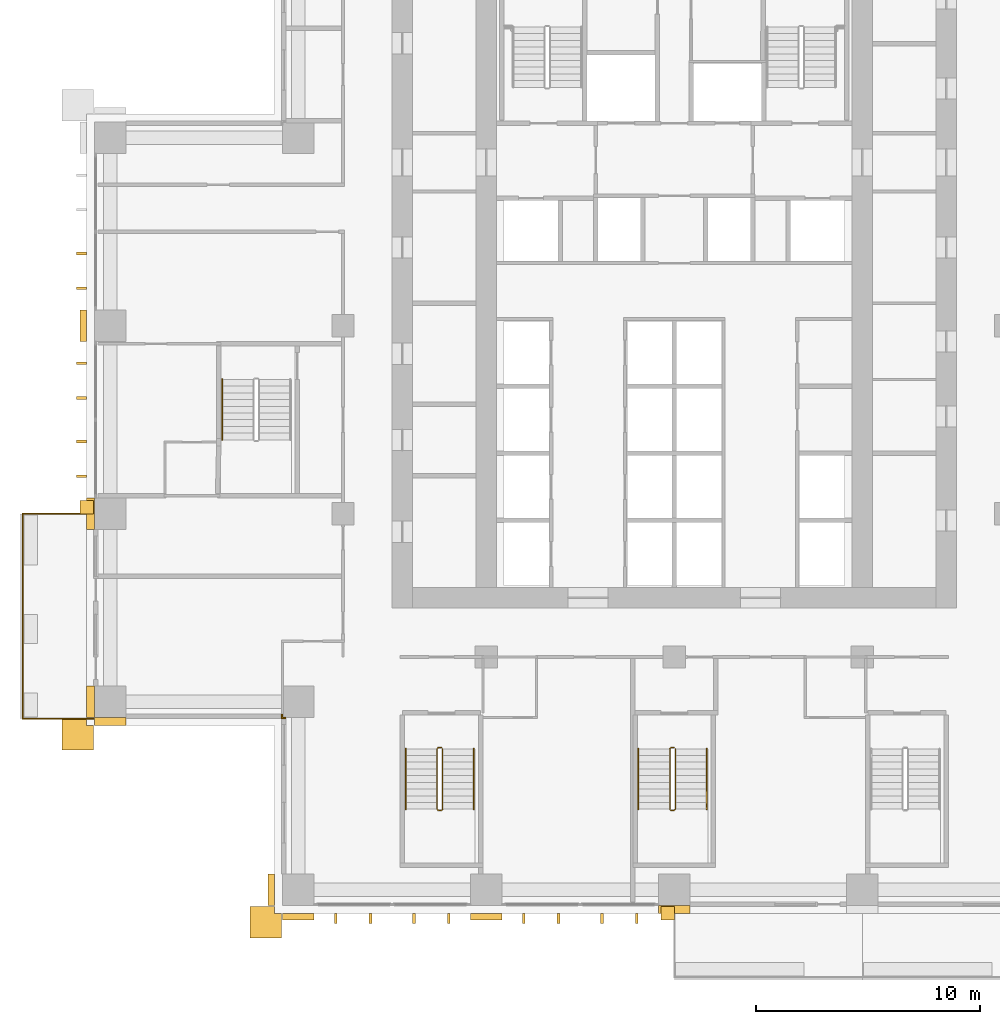
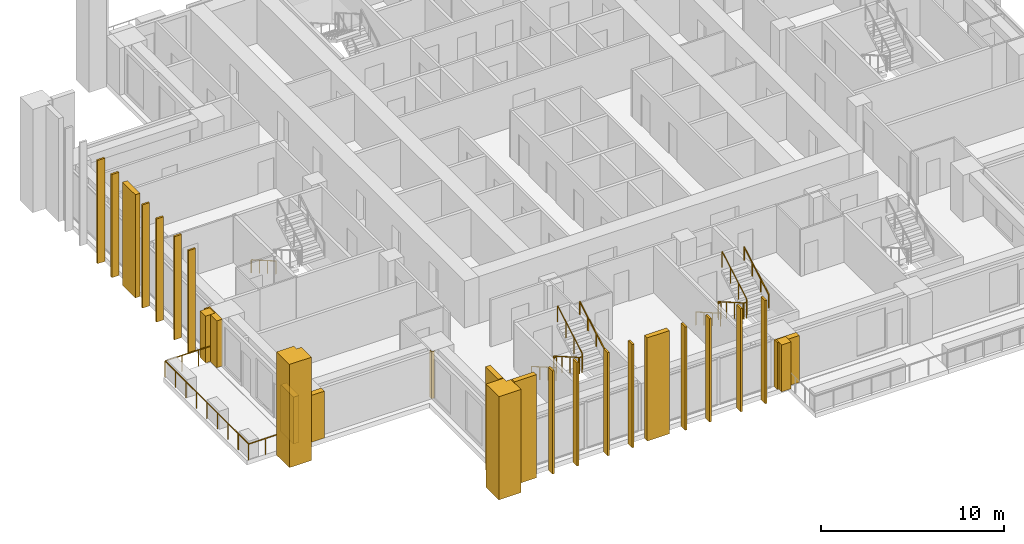
# One storey, part 15 of 19: 27 coverings, 8 railings.
"""IFC4 building model written with IfcOpenShell, lengths in metres."""

from ifc_helpers import new_model, si_unit, direction, frame, origin, origin_2d, place, context, subcontext, project, spatial, polyline, rectangle, outline, extrude, material, layer, layer_set, type_object, element, save


model = new_model("IFC4")

# Units and contexts
model_context = context("Model", 3, precision=1e-05, world=origin(), true_north=direction((0.0, 1.0)))
body_context = subcontext(model_context, "Body", "Model", "MODEL_VIEW")
ifc_project = project(units=[si_unit("LENGTHUNIT", "METRE"), si_unit("AREAUNIT", "SQUARE_METRE"), si_unit("VOLUMEUNIT", "CUBIC_METRE"), si_unit("PLANEANGLEUNIT", "RADIAN"), si_unit("MASSUNIT", "GRAM", prefix="KILO")], contexts=[model_context])

# Site, building, storey
site_placement = place(None, origin())
site = spatial("IfcSite", under=ifc_project, at=site_placement, CompositionType="ELEMENT")
building_placement = place(site_placement, origin())
building = spatial("IfcBuilding", under=site, at=building_placement, Name="Vermilion Ogive Tower", CompositionType="ELEMENT")
storey_placement = place(building_placement, frame((0.0, 0.0, 62.10009765625)))
storey = spatial("IfcBuildingStorey", under=building, at=storey_placement, Name="L14", CompositionType="ELEMENT", Elevation=62.10009765625)

# Railing
ifc_material_1 = material(Name="Stainless steel and glass", Category="steel")
railing_type_1 = type_object("IfcRailingType", Name="Balcony guard", PredefinedType="GUARDRAIL", material=ifc_material_1)
railing_1_placement = place(storey_placement, frame((-25.949951171875, -4.199951171875, -0.0400390625)))
element("IfcRailing", 1, at=railing_1_placement, inside=storey, type_object=railing_type_1, Name="Guard W03", PredefinedType="GUARDRAIL", context=body_context, shape_type="SweptSolid", body=[
    extrude(rectangle(XDim=0.048095703125, YDim=0.048095703125, at=origin_2d()), frame((0.0, 0.0, 1.076171875), z_axis=(-1.0, 0.0, 0.0), x_axis=(0.0, -1.0, 0.0)), (0.0, 0.0, 1.0), 3.16015625),
    extrude(rectangle(XDim=0.048095703125, YDim=0.048095703125, at=origin_2d()), frame((-3.16015625, 0.0, 1.076171875), z_axis=(0.0, -1.0, 0.0), x_axis=(1.0, 0.0, 0.0)), (0.0, 0.0, 1.0), 9.150146484375),
    extrude(rectangle(XDim=0.048095703125, YDim=0.048095703125, at=origin_2d()), frame((-3.16015625, -9.150146484375, 1.076171875), z_axis=(1.0, 0.0, 0.0), x_axis=(0.0, 1.0, 0.0)), (0.0, 0.0, 1.0), 3.16015625),
    extrude(rectangle(XDim=0.0419921875, YDim=0.0419921875, at=origin_2d()), origin(), (0.0, 0.0, 1.0), 1.052001953125),
    extrude(rectangle(XDim=0.0419921875, YDim=0.0419921875, at=origin_2d()), frame((-1.053466796875, 0.0, 0.0)), (0.0, 0.0, 1.0), 1.052001953125),
    extrude(rectangle(XDim=0.0419921875, YDim=0.0419921875, at=origin_2d()), frame((-2.106689453125, 0.0, 0.0)), (0.0, 0.0, 1.0), 1.052001953125),
    extrude(rectangle(XDim=0.0419921875, YDim=0.0419921875, at=origin_2d()), frame((-3.16015625, 0.0, 0.0)), (0.0, 0.0, 1.0), 1.052001953125),
    extrude(rectangle(XDim=0.0419921875, YDim=0.0419921875, at=origin_2d()), frame((-3.16015625, -1.143798828125, 0.0)), (0.0, 0.0, 1.0), 1.052001953125),
    extrude(rectangle(XDim=0.0419921875, YDim=0.0419921875, at=origin_2d()), frame((-3.16015625, -2.28759765625, 0.0)), (0.0, 0.0, 1.0), 1.052001953125),
    extrude(rectangle(XDim=0.0419921875, YDim=0.0419921875, at=origin_2d()), frame((-3.16015625, -3.431396484375, 0.0)), (0.0, 0.0, 1.0), 1.052001953125),
    extrude(rectangle(XDim=0.0419921875, YDim=0.0419921875, at=origin_2d()), frame((-3.16015625, -4.5751953125, 0.0)), (0.0, 0.0, 1.0), 1.052001953125),
    extrude(rectangle(XDim=0.0419921875, YDim=0.0419921875, at=origin_2d()), frame((-3.16015625, -5.71875, 0.0)), (0.0, 0.0, 1.0), 1.052001953125),
    extrude(rectangle(XDim=0.0419921875, YDim=0.0419921875, at=origin_2d()), frame((-3.16015625, -6.862548828125, 0.0)), (0.0, 0.0, 1.0), 1.052001953125),
    extrude(rectangle(XDim=0.0419921875, YDim=0.0419921875, at=origin_2d()), frame((-3.16015625, -8.00634765625, 0.0)), (0.0, 0.0, 1.0), 1.052001953125),
    extrude(rectangle(XDim=0.0419921875, YDim=0.0419921875, at=origin_2d()), frame((-3.16015625, -9.150146484375, 0.0)), (0.0, 0.0, 1.0), 1.052001953125),
    extrude(rectangle(XDim=0.0419921875, YDim=0.0419921875, at=origin_2d()), frame((-2.106689453125, -9.150146484375, 0.0)), (0.0, 0.0, 1.0), 1.052001953125),
    extrude(rectangle(XDim=0.0419921875, YDim=0.0419921875, at=origin_2d()), frame((-1.053466796875, -9.150146484375, 0.0)), (0.0, 0.0, 1.0), 1.052001953125),
    extrude(rectangle(XDim=0.0419921875, YDim=0.0419921875, at=origin_2d()), frame((0.0, -9.150146484375, 0.0)), (0.0, 0.0, 1.0), 1.052001953125),
])

# Coverings
ifc_material_2 = material(Name="Glazed ceramic screen")
ifc_layer = layer(ifc_material_2, 0.14990234375)
ifc_layer_set = layer_set([ifc_layer], Name="Ceramic solar screen fin")
covering_type_1 = type_object("IfcCoveringType", Name="Ceramic solar screen fin", PredefinedType="CLADDING", material=ifc_layer_set)
covering_1_placement = place(storey_placement, frame((0.0, 0.0, -0.320068359375)))
element("IfcCovering", 2, at=covering_1_placement, inside=storey, type_object=covering_type_1, Name="Solar screen blade S961", PredefinedType="CLADDING", context=body_context, shape_type="SweptSolid", body=[
    extrude(outline(polyline([(-15.18505859375, -22.5), (-15.06494140625, -22.5), (-15.06494140625, -22.050048828125), (-15.18505859375, -22.050048828125), (-15.18505859375, -22.5)])), origin(), (0.0, 0.0, 1.0), 6.89990234375),
])
covering_2_placement = place(storey_placement, frame((0.0, 0.0, -0.320068359375)))
element("IfcCovering", 3, at=covering_2_placement, inside=storey, type_object=covering_type_1, Name="Solar screen blade S962", PredefinedType="CLADDING", context=body_context, shape_type="SweptSolid", body=[
    extrude(outline(polyline([(-13.635009765625, -22.5), (-13.514892578125, -22.5), (-13.514892578125, -22.050048828125), (-13.635009765625, -22.050048828125), (-13.635009765625, -22.5)])), origin(), (0.0, 0.0, 1.0), 6.89990234375),
])
covering_3_placement = place(storey_placement, frame((0.0, 0.0, -0.320068359375)))
element("IfcCovering", 4, at=covering_3_placement, inside=storey, type_object=covering_type_1, Name="Solar screen blade S971", PredefinedType="CLADDING", context=body_context, shape_type="SweptSolid", body=[
    extrude(outline(polyline([(-11.68505859375, -22.5), (-11.56494140625, -22.5), (-11.56494140625, -22.050048828125), (-11.68505859375, -22.050048828125), (-11.68505859375, -22.5)])), origin(), (0.0, 0.0, 1.0), 6.89990234375),
])
covering_4_placement = place(storey_placement, frame((0.0, 0.0, -0.320068359375)))
element("IfcCovering", 5, at=covering_4_placement, inside=storey, type_object=covering_type_1, Name="Solar screen blade S972", PredefinedType="CLADDING", context=body_context, shape_type="SweptSolid", body=[
    extrude(outline(polyline([(-10.135009765625, -22.5), (-10.014892578125, -22.5), (-10.014892578125, -22.050048828125), (-10.135009765625, -22.050048828125), (-10.135009765625, -22.5)])), origin(), (0.0, 0.0, 1.0), 6.89990234375),
])
covering_5_placement = place(storey_placement, frame((0.0, 0.0, -0.320068359375)))
element("IfcCovering", 6, at=covering_5_placement, inside=storey, type_object=covering_type_1, Name="Solar screen blade S981", PredefinedType="CLADDING", context=body_context, shape_type="SweptSolid", body=[
    extrude(outline(polyline([(-6.784912109375, -22.5), (-6.6650390625, -22.5), (-6.6650390625, -22.050048828125), (-6.784912109375, -22.050048828125), (-6.784912109375, -22.5)])), origin(), (0.0, 0.0, 1.0), 6.89990234375),
])
covering_6_placement = place(storey_placement, frame((0.0, 0.0, -0.320068359375)))
element("IfcCovering", 7, at=covering_6_placement, inside=storey, type_object=covering_type_1, Name="Solar screen blade S982", PredefinedType="CLADDING", context=body_context, shape_type="SweptSolid", body=[
    extrude(outline(polyline([(-5.235107421875, -22.5), (-5.114990234375, -22.5), (-5.114990234375, -22.050048828125), (-5.235107421875, -22.050048828125), (-5.235107421875, -22.5)])), origin(), (0.0, 0.0, 1.0), 6.89990234375),
])
covering_7_placement = place(storey_placement, frame((0.0, 0.0, -0.320068359375)))
element("IfcCovering", 8, at=covering_7_placement, inside=storey, type_object=covering_type_1, Name="Solar screen blade S991", PredefinedType="CLADDING", context=body_context, shape_type="SweptSolid", body=[
    extrude(outline(polyline([(-3.284912109375, -22.5), (-3.1650390625, -22.5), (-3.1650390625, -22.050048828125), (-3.284912109375, -22.050048828125), (-3.284912109375, -22.5)])), origin(), (0.0, 0.0, 1.0), 6.89990234375),
])
covering_8_placement = place(storey_placement, frame((0.0, 0.0, -0.320068359375)))
element("IfcCovering", 9, at=covering_8_placement, inside=storey, type_object=covering_type_1, Name="Solar screen blade S992", PredefinedType="CLADDING", context=body_context, shape_type="SweptSolid", body=[
    extrude(outline(polyline([(-1.735107421875, -22.5), (-1.614990234375, -22.5), (-1.614990234375, -22.050048828125), (-1.735107421875, -22.050048828125), (-1.735107421875, -22.5)])), origin(), (0.0, 0.0, 1.0), 6.89990234375),
])
covering_9_placement = place(storey_placement, frame((0.0, 0.0, -0.320068359375)))
element("IfcCovering", 10, at=covering_9_placement, inside=storey, type_object=covering_type_1, Name="Solar screen blade W011", PredefinedType="CLADDING", context=body_context, shape_type="SweptSolid", body=[
    extrude(outline(polyline([(-26.699951171875, 7.485107421875), (-26.699951171875, 7.364990234375), (-26.25, 7.364990234375), (-26.25, 7.485107421875), (-26.699951171875, 7.485107421875)])), origin(), (0.0, 0.0, 1.0), 6.89990234375),
])
covering_10_placement = place(storey_placement, frame((0.0, 0.0, -0.320068359375)))
element("IfcCovering", 11, at=covering_10_placement, inside=storey, type_object=covering_type_1, Name="Solar screen blade W012", PredefinedType="CLADDING", context=body_context, shape_type="SweptSolid", body=[
    extrude(outline(polyline([(-26.699951171875, 5.93505859375), (-26.699951171875, 5.81494140625), (-26.25, 5.81494140625), (-26.25, 5.93505859375), (-26.699951171875, 5.93505859375)])), origin(), (0.0, 0.0, 1.0), 6.89990234375),
])
covering_11_placement = place(storey_placement, frame((0.0, 0.0, -0.320068359375)))
element("IfcCovering", 12, at=covering_11_placement, inside=storey, type_object=covering_type_1, Name="Solar screen blade W991", PredefinedType="CLADDING", context=body_context, shape_type="SweptSolid", body=[
    extrude(outline(polyline([(-26.699951171875, -0.9150390625), (-26.699951171875, -1.034912109375), (-26.25, -1.034912109375), (-26.25, -0.9150390625), (-26.699951171875, -0.9150390625)])), origin(), (0.0, 0.0, 1.0), 6.89990234375),
])
covering_12_placement = place(storey_placement, frame((0.0, 0.0, -0.320068359375)))
element("IfcCovering", 13, at=covering_12_placement, inside=storey, type_object=covering_type_1, Name="Solar screen blade W992", PredefinedType="CLADDING", context=body_context, shape_type="SweptSolid", body=[
    extrude(outline(polyline([(-26.699951171875, -2.465087890625), (-26.699951171875, -2.5849609375), (-26.25, -2.5849609375), (-26.25, -2.465087890625), (-26.699951171875, -2.465087890625)])), origin(), (0.0, 0.0, 1.0), 6.89990234375),
])
covering_13_placement = place(storey_placement, frame((0.0, 0.0, -0.320068359375)))
element("IfcCovering", 14, at=covering_13_placement, inside=storey, type_object=covering_type_1, Name="Solar screen blade W001", PredefinedType="CLADDING", context=body_context, shape_type="SweptSolid", body=[
    extrude(outline(polyline([(-26.699951171875, 2.5849609375), (-26.699951171875, 2.465087890625), (-26.25, 2.465087890625), (-26.25, 2.5849609375), (-26.699951171875, 2.5849609375)])), origin(), (0.0, 0.0, 1.0), 6.89990234375),
])
covering_14_placement = place(storey_placement, frame((0.0, 0.0, -0.320068359375)))
element("IfcCovering", 15, at=covering_14_placement, inside=storey, type_object=covering_type_1, Name="Solar screen blade W002", PredefinedType="CLADDING", context=body_context, shape_type="SweptSolid", body=[
    extrude(outline(polyline([(-26.699951171875, 1.034912109375), (-26.699951171875, 0.9150390625), (-26.25, 0.9150390625), (-26.25, 1.034912109375), (-26.699951171875, 1.034912109375)])), origin(), (0.0, 0.0, 1.0), 6.89990234375),
])

# Railings
ifc_material_3 = material(Name="Steel S355 painted", Category="steel")
railing_type_2 = type_object("IfcRailingType", Name="Stair guard 1100", PredefinedType="GUARDRAIL", material=ifc_material_3)
railing_2_placement = place(storey_placement, frame((-10.39990234375, -14.64990234375, 0.0)))
element("IfcRailing", 16, at=railing_2_placement, inside=storey, type_object=railing_type_2, Name="L14 ST3 stair guard 4", PredefinedType="GUARDRAIL", context=body_context, shape_type="SweptSolid", body=[
    extrude(rectangle(XDim=0.048095703125, YDim=0.048095703125, at=origin_2d()), frame((0.0, 0.0, 1.076171875), z_axis=(-1.0, 0.0, 0.0), x_axis=(0.0, -1.0, 0.0)), (0.0, 0.0, 1.0), 0.150146484375),
    extrude(rectangle(XDim=0.048095703125, YDim=0.048095703125, at=origin_2d()), frame((-0.150146484375, 0.0, 1.076171875), z_axis=(-0.268603158521, -0.268603158521, 0.925043072762), x_axis=(0.707106781187, -0.707106781187, 0.0)), (0.0, 0.0, 1.0), 0.186279296875),
    extrude(rectangle(XDim=0.048095703125, YDim=0.048095703125, at=origin_2d()), frame((-0.2001953125, -0.050048828125, 1.24853515625), z_axis=(0.0, -0.866903762492, 0.498475542607), x_axis=(1.0, 0.0, 0.0)), (0.0, 0.0, 1.0), 3.114501953125),
    extrude(rectangle(XDim=0.048095703125, YDim=0.048095703125, at=origin_2d()), frame((-0.2001953125, -2.75, 2.80078125), z_axis=(0.707106781187, -0.707106781187, 0.0), x_axis=(0.707106781187, 0.707106781187, 0.0)), (0.0, 0.0, 1.0), 0.07080078125),
    extrude(rectangle(XDim=0.048095703125, YDim=0.048095703125, at=origin_2d()), frame((-0.150146484375, -2.800048828125, 2.80078125), z_axis=(1.0, 0.0, 0.0), x_axis=(0.0, 1.0, 0.0)), (0.0, 0.0, 1.0), 0.150146484375),
    extrude(rectangle(XDim=0.048095703125, YDim=0.048095703125, at=origin_2d()), frame((0.0, -2.800048828125, 2.80078125), z_axis=(0.267062837333, 0.268371968888, 0.925556009775), x_axis=(-0.708833529934, 0.705375805398, 0.0)), (0.0, 0.0, 1.0), 0.1865234375),
    extrude(rectangle(XDim=0.048095703125, YDim=0.048095703125, at=origin_2d()), frame((0.0498046875, -2.75, 2.9736328125), z_axis=(0.0, 0.866903762492, 0.498475542607), x_axis=(-1.0, 0.0, 0.0)), (0.0, 0.0, 1.0), 3.114501953125),
    extrude(rectangle(XDim=0.0419921875, YDim=0.0419921875, at=origin_2d()), origin(), (0.0, 0.0, 1.0), 1.052001953125),
    extrude(rectangle(XDim=0.0419921875, YDim=0.0419921875, at=origin_2d()), frame((-0.150146484375, 0.0, 0.0)), (0.0, 0.0, 1.0), 1.052001953125),
    extrude(rectangle(XDim=0.0419921875, YDim=0.0419921875, at=origin_2d()), frame((-0.2001953125, -0.050048828125, 0.17236328125)), (0.0, 0.0, 1.0), 1.052001953125),
    extrude(rectangle(XDim=0.0419921875, YDim=0.0419921875, at=origin_2d()), frame((-0.2001953125, -0.949951171875, 0.68994140625)), (0.0, 0.0, 1.0), 1.052001953125),
    extrude(rectangle(XDim=0.0419921875, YDim=0.0419921875, at=origin_2d()), frame((-0.2001953125, -1.85009765625, 1.207275390625)), (0.0, 0.0, 1.0), 1.052001953125),
    extrude(rectangle(XDim=0.0419921875, YDim=0.0419921875, at=origin_2d()), frame((-0.2001953125, -2.75, 1.724853515625)), (0.0, 0.0, 1.0), 1.052001953125),
    extrude(rectangle(XDim=0.0419921875, YDim=0.0419921875, at=origin_2d()), frame((-0.150146484375, -2.800048828125, 1.724853515625)), (0.0, 0.0, 1.0), 1.052001953125),
    extrude(rectangle(XDim=0.0419921875, YDim=0.0419921875, at=origin_2d()), frame((0.0, -2.800048828125, 1.724853515625)), (0.0, 0.0, 1.0), 1.052001953125),
    extrude(rectangle(XDim=0.0419921875, YDim=0.0419921875, at=origin_2d()), frame((0.0498046875, -2.75, 1.8974609375)), (0.0, 0.0, 1.0), 1.052001953125),
    extrude(rectangle(XDim=0.0419921875, YDim=0.0419921875, at=origin_2d()), frame((0.0498046875, -1.85009765625, 2.4150390625)), (0.0, 0.0, 1.0), 1.052001953125),
    extrude(rectangle(XDim=0.0419921875, YDim=0.0419921875, at=origin_2d()), frame((0.0498046875, -0.949951171875, 2.932373046875)), (0.0, 0.0, 1.0), 1.052001953125),
    extrude(rectangle(XDim=0.0419921875, YDim=0.0419921875, at=origin_2d()), frame((0.0498046875, -0.050048828125, 3.449951171875)), (0.0, 0.0, 1.0), 1.052001953125),
])
railing_3_placement = place(storey_placement, frame((0.0, -14.64990234375, 0.0)))
element("IfcRailing", 17, at=railing_3_placement, inside=storey, type_object=railing_type_2, Name="L14 ST4 stair guard 4", PredefinedType="GUARDRAIL", context=body_context, shape_type="SweptSolid", body=[
    extrude(rectangle(XDim=0.048095703125, YDim=0.048095703125, at=origin_2d()), frame((0.0, 0.0, 1.076171875), z_axis=(-1.0, 0.0, 0.0), x_axis=(0.0, -1.0, 0.0)), (0.0, 0.0, 1.0), 0.14990234375),
    extrude(rectangle(XDim=0.048095703125, YDim=0.048095703125, at=origin_2d()), frame((-0.14990234375, 0.0, 1.076171875), z_axis=(-0.268603158521, -0.268603158521, 0.925043072762), x_axis=(0.707106781187, -0.707106781187, 0.0)), (0.0, 0.0, 1.0), 0.186279296875),
    extrude(rectangle(XDim=0.048095703125, YDim=0.048095703125, at=origin_2d()), frame((-0.199951171875, -0.050048828125, 1.24853515625), z_axis=(0.0, -0.866903762492, 0.498475542607), x_axis=(1.0, 0.0, 0.0)), (0.0, 0.0, 1.0), 3.114501953125),
    extrude(rectangle(XDim=0.048095703125, YDim=0.048095703125, at=origin_2d()), frame((-0.199951171875, -2.75, 2.80078125), z_axis=(0.707106781187, -0.707106781187, 0.0), x_axis=(0.707106781187, 0.707106781187, 0.0)), (0.0, 0.0, 1.0), 0.07080078125),
    extrude(rectangle(XDim=0.048095703125, YDim=0.048095703125, at=origin_2d()), frame((-0.14990234375, -2.800048828125, 2.80078125), z_axis=(1.0, 0.0, 0.0), x_axis=(0.0, 1.0, 0.0)), (0.0, 0.0, 1.0), 0.14990234375),
    extrude(rectangle(XDim=0.048095703125, YDim=0.048095703125, at=origin_2d()), frame((0.0, -2.800048828125, 2.80078125), z_axis=(0.268277960024, 0.268277960024, 0.925231793839), x_axis=(-0.707106781187, 0.707106781187, 0.0)), (0.0, 0.0, 1.0), 0.1865234375),
    extrude(rectangle(XDim=0.048095703125, YDim=0.048095703125, at=origin_2d()), frame((0.050048828125, -2.75, 2.9736328125), z_axis=(0.0, 0.866903762492, 0.498475542607), x_axis=(-1.0, 0.0, 0.0)), (0.0, 0.0, 1.0), 3.114501953125),
    extrude(rectangle(XDim=0.0419921875, YDim=0.0419921875, at=origin_2d()), origin(), (0.0, 0.0, 1.0), 1.052001953125),
    extrude(rectangle(XDim=0.0419921875, YDim=0.0419921875, at=origin_2d()), frame((-0.14990234375, 0.0, 0.0)), (0.0, 0.0, 1.0), 1.052001953125),
    extrude(rectangle(XDim=0.0419921875, YDim=0.0419921875, at=origin_2d()), frame((-0.199951171875, -0.050048828125, 0.17236328125)), (0.0, 0.0, 1.0), 1.052001953125),
    extrude(rectangle(XDim=0.0419921875, YDim=0.0419921875, at=origin_2d()), frame((-0.199951171875, -0.949951171875, 0.68994140625)), (0.0, 0.0, 1.0), 1.052001953125),
    extrude(rectangle(XDim=0.0419921875, YDim=0.0419921875, at=origin_2d()), frame((-0.199951171875, -1.85009765625, 1.207275390625)), (0.0, 0.0, 1.0), 1.052001953125),
    extrude(rectangle(XDim=0.0419921875, YDim=0.0419921875, at=origin_2d()), frame((-0.199951171875, -2.75, 1.724853515625)), (0.0, 0.0, 1.0), 1.052001953125),
    extrude(rectangle(XDim=0.0419921875, YDim=0.0419921875, at=origin_2d()), frame((-0.14990234375, -2.800048828125, 1.724853515625)), (0.0, 0.0, 1.0), 1.052001953125),
    extrude(rectangle(XDim=0.0419921875, YDim=0.0419921875, at=origin_2d()), frame((0.0, -2.800048828125, 1.724853515625)), (0.0, 0.0, 1.0), 1.052001953125),
    extrude(rectangle(XDim=0.0419921875, YDim=0.0419921875, at=origin_2d()), frame((0.050048828125, -2.75, 1.8974609375)), (0.0, 0.0, 1.0), 1.052001953125),
    extrude(rectangle(XDim=0.0419921875, YDim=0.0419921875, at=origin_2d()), frame((0.050048828125, -1.85009765625, 2.4150390625)), (0.0, 0.0, 1.0), 1.052001953125),
    extrude(rectangle(XDim=0.0419921875, YDim=0.0419921875, at=origin_2d()), frame((0.050048828125, -0.949951171875, 2.932373046875)), (0.0, 0.0, 1.0), 1.052001953125),
    extrude(rectangle(XDim=0.0419921875, YDim=0.0419921875, at=origin_2d()), frame((0.050048828125, -0.050048828125, 3.449951171875)), (0.0, 0.0, 1.0), 1.052001953125),
])
ifc_material_4 = material(Name="Stainless steel", Category="steel")
railing_type_3 = type_object("IfcRailingType", Name="Stair handrail 900", PredefinedType="HANDRAIL", material=ifc_material_4)
railing_4_placement = place(storey_placement, frame((-12.0, -14.699951171875, 0.17236328125)))
element("IfcRailing", 18, at=railing_4_placement, inside=storey, type_object=railing_type_3, Name="L14 ST3 stair handrail 1", PredefinedType="HANDRAIL", context=body_context, shape_type="SweptSolid", body=[
    extrude(rectangle(XDim=0.048095703125, YDim=0.048095703125, at=origin_2d()), frame((0.0, 0.0, 0.8759765625), z_axis=(0.0, -0.866903762492, 0.498475542607), x_axis=(1.0, 0.0, 0.0)), (0.0, 0.0, 1.0), 3.114501953125),
    extrude(rectangle(XDim=0.0419921875, YDim=0.0419921875, at=origin_2d()), origin(), (0.0, 0.0, 1.0), 0.851806640625),
    extrude(rectangle(XDim=0.0419921875, YDim=0.0419921875, at=origin_2d()), frame((0.0, -0.89990234375, 0.517578125)), (0.0, 0.0, 1.0), 0.851806640625),
    extrude(rectangle(XDim=0.0419921875, YDim=0.0419921875, at=origin_2d()), frame((0.0, -1.800048828125, 1.034912109375)), (0.0, 0.0, 1.0), 0.851806640625),
    extrude(rectangle(XDim=0.0419921875, YDim=0.0419921875, at=origin_2d()), frame((0.0, -2.699951171875, 1.552490234375)), (0.0, 0.0, 1.0), 0.851806640625),
])
railing_5_placement = place(storey_placement, frame((-8.949951171875, -17.39990234375, 1.8974609375)))
element("IfcRailing", 19, at=railing_5_placement, inside=storey, type_object=railing_type_3, Name="L14 ST3 stair handrail 2", PredefinedType="HANDRAIL", context=body_context, shape_type="SweptSolid", body=[
    extrude(rectangle(XDim=0.048095703125, YDim=0.048095703125, at=origin_2d()), frame((0.0, 0.0, 0.8759765625), z_axis=(0.0, 0.866903762492, 0.498475542607), x_axis=(-1.0, 0.0, 0.0)), (0.0, 0.0, 1.0), 3.114501953125),
    extrude(rectangle(XDim=0.0419921875, YDim=0.0419921875, at=origin_2d()), origin(), (0.0, 0.0, 1.0), 0.851806640625),
    extrude(rectangle(XDim=0.0419921875, YDim=0.0419921875, at=origin_2d()), frame((0.0, 0.89990234375, 0.517578125)), (0.0, 0.0, 1.0), 0.851806640625),
    extrude(rectangle(XDim=0.0419921875, YDim=0.0419921875, at=origin_2d()), frame((0.0, 1.800048828125, 1.034912109375)), (0.0, 0.0, 1.0), 0.851806640625),
    extrude(rectangle(XDim=0.0419921875, YDim=0.0419921875, at=origin_2d()), frame((0.0, 2.699951171875, 1.552490234375)), (0.0, 0.0, 1.0), 0.851806640625),
])
railing_6_placement = place(storey_placement, frame((-1.60009765625, -14.699951171875, 0.17236328125)))
element("IfcRailing", 20, at=railing_6_placement, inside=storey, type_object=railing_type_3, Name="L14 ST4 stair handrail 1", PredefinedType="HANDRAIL", context=body_context, shape_type="SweptSolid", body=[
    extrude(rectangle(XDim=0.048095703125, YDim=0.048095703125, at=origin_2d()), frame((0.0, 0.0, 0.8759765625), z_axis=(0.0, -0.866903762492, 0.498475542607), x_axis=(1.0, 0.0, 0.0)), (0.0, 0.0, 1.0), 3.114501953125),
    extrude(rectangle(XDim=0.0419921875, YDim=0.0419921875, at=origin_2d()), origin(), (0.0, 0.0, 1.0), 0.851806640625),
    extrude(rectangle(XDim=0.0419921875, YDim=0.0419921875, at=origin_2d()), frame((0.0, -0.89990234375, 0.517578125)), (0.0, 0.0, 1.0), 0.851806640625),
    extrude(rectangle(XDim=0.0419921875, YDim=0.0419921875, at=origin_2d()), frame((0.0, -1.800048828125, 1.034912109375)), (0.0, 0.0, 1.0), 0.851806640625),
    extrude(rectangle(XDim=0.0419921875, YDim=0.0419921875, at=origin_2d()), frame((0.0, -2.699951171875, 1.552490234375)), (0.0, 0.0, 1.0), 0.851806640625),
])
railing_7_placement = place(storey_placement, frame((1.449951171875, -17.39990234375, 1.8974609375)))
element("IfcRailing", 21, at=railing_7_placement, inside=storey, type_object=railing_type_3, Name="L14 ST4 stair handrail 2", PredefinedType="HANDRAIL", context=body_context, shape_type="SweptSolid", body=[
    extrude(rectangle(XDim=0.048095703125, YDim=0.048095703125, at=origin_2d()), frame((0.0, 0.0, 0.8759765625), z_axis=(0.0, 0.866903762492, 0.498475542607), x_axis=(-1.0, 0.0, 0.0)), (0.0, 0.0, 1.0), 3.114501953125),
    extrude(rectangle(XDim=0.0419921875, YDim=0.0419921875, at=origin_2d()), origin(), (0.0, 0.0, 1.0), 0.851806640625),
    extrude(rectangle(XDim=0.0419921875, YDim=0.0419921875, at=origin_2d()), frame((0.0, 0.89990234375, 0.517578125)), (0.0, 0.0, 1.0), 0.851806640625),
    extrude(rectangle(XDim=0.0419921875, YDim=0.0419921875, at=origin_2d()), frame((0.0, 1.800048828125, 1.034912109375)), (0.0, 0.0, 1.0), 0.851806640625),
    extrude(rectangle(XDim=0.0419921875, YDim=0.0419921875, at=origin_2d()), frame((0.0, 2.699951171875, 1.552490234375)), (0.0, 0.0, 1.0), 0.851806640625),
])
railing_8_placement = place(storey_placement, frame((-20.199951171875, 1.800048828125, 0.17236328125)))
element("IfcRailing", 22, at=railing_8_placement, inside=storey, type_object=railing_type_3, Name="L14 ST9 stair handrail 1", PredefinedType="HANDRAIL", context=body_context, shape_type="SweptSolid", body=[
    extrude(rectangle(XDim=0.048095703125, YDim=0.048095703125, at=origin_2d()), frame((0.0, 0.0, 0.8759765625), z_axis=(0.0, -0.866903762492, 0.498475542607), x_axis=(1.0, 0.0, 0.0)), (0.0, 0.0, 1.0), 3.114501953125),
    extrude(rectangle(XDim=0.0419921875, YDim=0.0419921875, at=origin_2d()), origin(), (0.0, 0.0, 1.0), 0.851806640625),
    extrude(rectangle(XDim=0.0419921875, YDim=0.0419921875, at=origin_2d()), frame((0.0, -0.89990234375, 0.517578125)), (0.0, 0.0, 1.0), 0.851806640625),
    extrude(rectangle(XDim=0.0419921875, YDim=0.0419921875, at=origin_2d()), frame((0.0, -1.800048828125, 1.034912109375)), (0.0, 0.0, 1.0), 0.851806640625),
    extrude(rectangle(XDim=0.0419921875, YDim=0.0419921875, at=origin_2d()), frame((0.0, -2.699951171875, 1.552490234375)), (0.0, 0.0, 1.0), 0.851806640625),
])

# Coverings
ifc_material_5 = material(Name="Stone cladding", Category="masonry")
covering_type_2 = type_object("IfcCoveringType", Name="Stone corner buttress", PredefinedType="CLADDING", material=ifc_material_5)
covering_15_placement = place(storey_placement, origin())
element("IfcCovering", 23, at=covering_15_placement, inside=storey, type_object=covering_type_2, Name="Stone crease pier SK", PredefinedType="CLADDING", context=body_context, shape_type="SweptSolid", body=[
    extrude(outline(polyline([(-0.60009765625, -22.35009765625), (0.0, -22.35009765625), (0.0, -21.75), (-0.60009765625, -21.75), (-0.60009765625, -22.35009765625)])), origin(), (0.0, 0.0, 1.0), 3.1298828125),
])
covering_16_placement = place(storey_placement, origin())
element("IfcCovering", 24, at=covering_16_placement, inside=storey, type_object=covering_type_2, Name="Stone crease pier WK", PredefinedType="CLADDING", context=body_context, shape_type="SweptSolid", body=[
    extrude(outline(polyline([(-26.550048828125, -3.60009765625), (-26.550048828125, -4.199951171875), (-25.949951171875, -4.199951171875), (-25.949951171875, -3.60009765625), (-26.550048828125, -3.60009765625)])), origin(), (0.0, 0.0, 1.0), 3.1298828125),
])
covering_17_placement = place(storey_placement, frame((0.0, 0.0, -0.320068359375)))
element("IfcCovering", 25, at=covering_17_placement, inside=storey, type_object=covering_type_2, Name="Stone corner buttress S1", PredefinedType="CLADDING", context=body_context, shape_type="SweptSolid", body=[
    extrude(outline(polyline([(-17.85009765625, -21.75), (-17.85009765625, -22.050048828125), (-17.550048828125, -22.050048828125), (-17.550048828125, -23.14990234375), (-18.949951171875, -23.14990234375), (-18.949951171875, -21.75), (-17.85009765625, -21.75)])), origin(), (0.0, 0.0, 1.0), 6.89990234375),
])
covering_18_placement = place(storey_placement, frame((0.0, 0.0, -0.320068359375)))
element("IfcCovering", 26, at=covering_18_placement, inside=storey, type_object=covering_type_2, Name="Stone corner buttress X71", PredefinedType="CLADDING", context=body_context, shape_type="SweptSolid", body=[
    extrude(outline(polyline([(-27.35009765625, -13.35009765625), (-26.25, -13.35009765625), (-26.25, -13.64990234375), (-25.949951171875, -13.64990234375), (-25.949951171875, -14.75), (-27.35009765625, -14.75), (-27.35009765625, -13.35009765625)])), origin(), (0.0, 0.0, 1.0), 6.89990234375),
])
ifc_material_6 = material(Name="Stone cladding", Category="masonry")
covering_type_3 = type_object("IfcCoveringType", Name="Stone pier", PredefinedType="CLADDING", material=ifc_material_6)
covering_19_placement = place(storey_placement, origin())
element("IfcCovering", 27, at=covering_19_placement, inside=storey, type_object=covering_type_3, Name="Stone corner pier X7E1", PredefinedType="CLADDING", context=body_context, shape_type="SweptSolid", body=[
    extrude(outline(polyline([(-17.5, -13.14990234375), (-17.5, -13.300048828125), (-17.35009765625, -13.300048828125), (-17.35009765625, -13.35009765625), (-17.550048828125, -13.35009765625), (-17.550048828125, -13.14990234375), (-17.5, -13.14990234375)])), origin(), (0.0, 0.0, 1.0), 3.1298828125),
])
covering_20_placement = place(storey_placement, frame((0.0, 0.0, -0.320068359375)))
element("IfcCovering", 28, at=covering_20_placement, inside=storey, type_object=covering_type_3, Name="Stone pier P-0084-210", PredefinedType="CLADDING", context=body_context, shape_type="SweptSolid", body=[
    extrude(outline(polyline([(-7.699951171875, -22.35009765625), (-9.10009765625, -22.35009765625), (-9.10009765625, -22.050048828125), (-7.699951171875, -22.050048828125), (-7.699951171875, -22.35009765625)])), origin(), (0.0, 0.0, 1.0), 6.89990234375),
])
covering_21_placement = place(storey_placement, frame((0.0, 0.0, -0.320068359375)))
element("IfcCovering", 29, at=covering_21_placement, inside=storey, type_object=covering_type_3, Name="Stone pier P-0168-210S", PredefinedType="CLADDING", context=body_context, shape_type="SweptSolid", body=[
    extrude(outline(polyline([(-16.10009765625, -22.35009765625), (-17.5, -22.35009765625), (-17.5, -22.050048828125), (-16.10009765625, -22.050048828125), (-16.10009765625, -22.35009765625)])), origin(), (0.0, 0.0, 1.0), 6.89990234375),
])
covering_22_placement = place(storey_placement, frame((0.0, 0.0, -0.320068359375)))
element("IfcCovering", 30, at=covering_22_placement, inside=storey, type_object=covering_type_3, Name="Stone pier P-0168-210X8", PredefinedType="CLADDING", context=body_context, shape_type="SweptSolid", body=[
    extrude(outline(polyline([(-18.14990234375, -20.300048828125), (-17.85009765625, -20.300048828125), (-17.85009765625, -21.699951171875), (-18.14990234375, -21.699951171875), (-18.14990234375, -20.300048828125)])), origin(), (0.0, 0.0, 1.0), 6.89990234375),
])
covering_23_placement = place(storey_placement, frame((0.0, 0.0, -0.320068359375)))
element("IfcCovering", 31, at=covering_23_placement, inside=storey, type_object=covering_type_3, Name="Stone pier P-0252+042", PredefinedType="CLADDING", context=body_context, shape_type="SweptSolid", body=[
    extrude(outline(polyline([(-26.550048828125, 3.5), (-26.550048828125, 4.89990234375), (-26.25, 4.89990234375), (-26.25, 3.5), (-26.550048828125, 3.5)])), origin(), (0.0, 0.0, 1.0), 6.89990234375),
])
covering_24_placement = place(storey_placement, origin())
element("IfcCovering", 32, at=covering_24_placement, inside=storey, type_object=covering_type_3, Name="Stone pier P+0000-210", PredefinedType="CLADDING", context=body_context, shape_type="SweptSolid", body=[
    extrude(outline(polyline([(0.699951171875, -22.050048828125), (0.0, -22.050048828125), (0.0, -21.75), (-0.60009765625, -21.75), (-0.60009765625, -22.050048828125), (-0.699951171875, -22.050048828125), (-0.699951171875, -21.699951171875), (0.699951171875, -21.699951171875), (0.699951171875, -22.050048828125)])), origin(), (0.0, 0.0, 1.0), 3.1298828125),
])
covering_25_placement = place(storey_placement, origin())
element("IfcCovering", 33, at=covering_25_placement, inside=storey, type_object=covering_type_3, Name="Stone pier P-0252-042", PredefinedType="CLADDING", context=body_context, shape_type="SweptSolid", body=[
    extrude(outline(polyline([(-26.25, -4.89990234375), (-26.25, -4.199951171875), (-25.949951171875, -4.199951171875), (-25.949951171875, -3.60009765625), (-26.25, -3.60009765625), (-26.25, -3.5), (-25.89990234375, -3.5), (-25.89990234375, -4.89990234375), (-26.25, -4.89990234375)])), origin(), (0.0, 0.0, 1.0), 3.1298828125),
])
covering_26_placement = place(storey_placement, origin())
element("IfcCovering", 34, at=covering_26_placement, inside=storey, type_object=covering_type_3, Name="Stone pier P-0252-126W", PredefinedType="CLADDING", context=body_context, shape_type="SweptSolid", body=[
    extrude(outline(polyline([(-26.25, -13.300048828125), (-26.25, -11.89990234375), (-25.89990234375, -11.89990234375), (-25.89990234375, -13.300048828125), (-26.25, -13.300048828125)])), origin(), (0.0, 0.0, 1.0), 3.1298828125),
])
covering_27_placement = place(storey_placement, origin())
element("IfcCovering", 35, at=covering_27_placement, inside=storey, type_object=covering_type_3, Name="Stone pier P-0252-126X7", PredefinedType="CLADDING", context=body_context, shape_type="SweptSolid", body=[
    extrude(outline(polyline([(-25.89990234375, -13.64990234375), (-25.89990234375, -13.300048828125), (-24.5, -13.300048828125), (-24.5, -13.64990234375), (-25.89990234375, -13.64990234375)])), origin(), (0.0, 0.0, 1.0), 3.1298828125),
])

save(model, "model.ifc")
